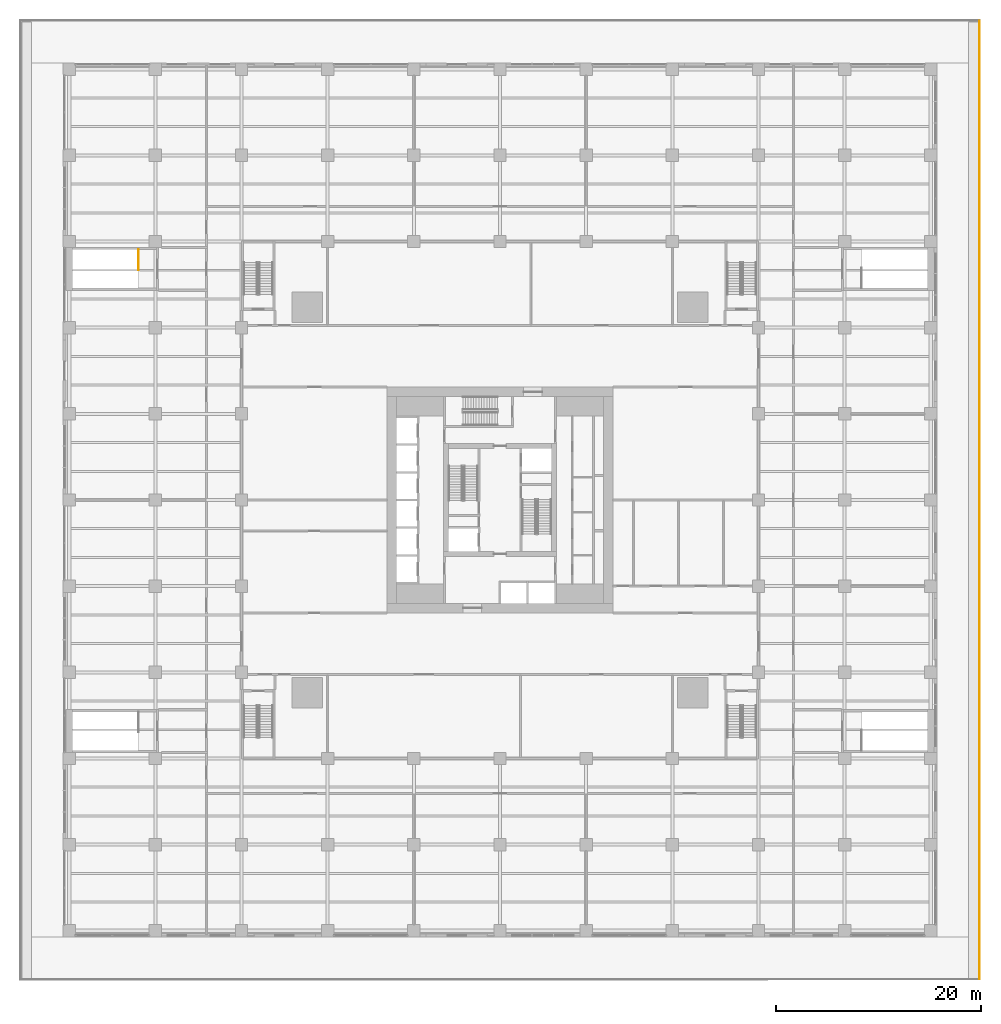
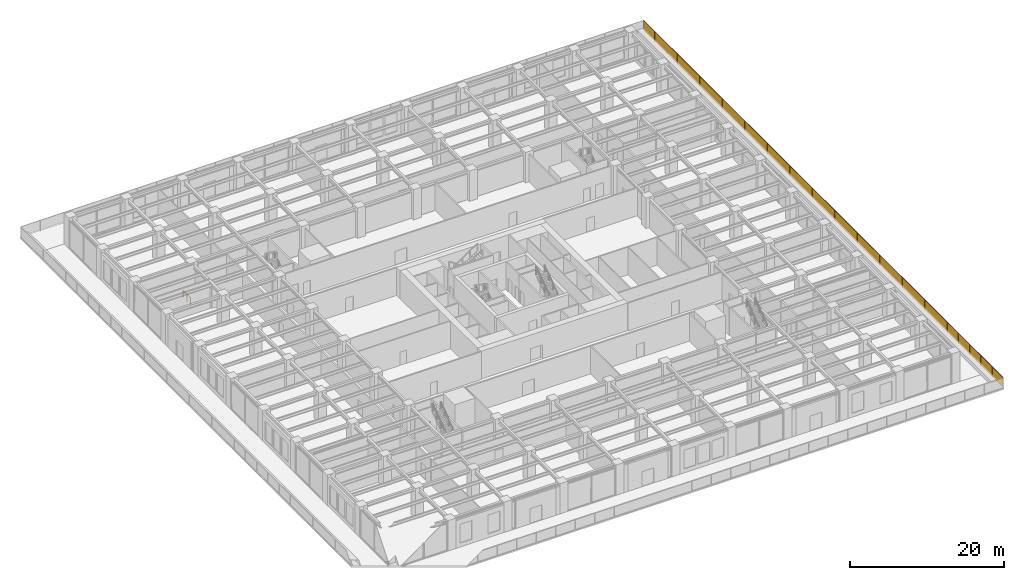
# One storey, part 50 of 53: 2 railings.
"""IFC4 building model written with IfcOpenShell, lengths in metres."""

from ifc_helpers import new_model, si_unit, direction, frame, origin, origin_2d, place, context, subcontext, project, spatial, rectangle, extrude, material, type_object, element, save


model = new_model("IFC4")

# Units and contexts
model_context = context("Model", 3, precision=1e-05, world=origin(), true_north=direction((0.0, 1.0)))
body_context = subcontext(model_context, "Body", "Model", "MODEL_VIEW")
ifc_project = project(units=[si_unit("LENGTHUNIT", "METRE"), si_unit("AREAUNIT", "SQUARE_METRE"), si_unit("VOLUMEUNIT", "CUBIC_METRE"), si_unit("PLANEANGLEUNIT", "RADIAN"), si_unit("MASSUNIT", "GRAM", prefix="KILO")], contexts=[model_context])

# Site, building, storey
site_placement = place(None, origin())
site = spatial("IfcSite", under=ifc_project, at=site_placement, CompositionType="ELEMENT")
building_placement = place(site_placement, origin())
building = spatial("IfcBuilding", under=site, at=building_placement, Name="Khepri Terraces", CompositionType="ELEMENT")
storey_placement = place(building_placement, frame((0.0, 0.0, 7.199951171875)))
storey = spatial("IfcBuildingStorey", under=building, at=storey_placement, Name="L01", CompositionType="ELEMENT", Elevation=7.199951171875)

# Railings
ifc_material_1 = material(Name="Stainless steel grade 316", Category="steel")
railing_type_1 = type_object("IfcRailingType", Name="GRD-TERR-1700", PredefinedType="GUARDRAIL", material=ifc_material_1)
railing_1_placement = place(storey_placement, frame((46.75, 46.75, 0.0)))
element("IfcRailing", 1, at=railing_1_placement, inside=storey, type_object=railing_type_1, Name="Terrace guard L01", PredefinedType="GUARDRAIL", context=body_context, shape_type="SweptSolid", body=[
    extrude(rectangle(XDim=0.050048828125, YDim=0.06005859375, at=origin_2d()), frame((0.0, 0.0, 1.669921875), z_axis=(0.0, -1.0, 0.0), x_axis=(1.0, 0.0, 0.0)), (0.0, 0.0, 1.0), 93.5),
    extrude(rectangle(XDim=2.871826171875, YDim=0.011962890625, at=origin_2d()), frame((0.0, -1.4609375, 0.10009765625), z_axis=(0.0, 0.0, 1.0), x_axis=(0.0, -1.0, 0.0)), (0.0, 0.0, 1.0), 1.539794921875),
    extrude(rectangle(XDim=2.871826171875, YDim=0.011962890625, at=origin_2d()), frame((0.0, -4.3828125, 0.10009765625), z_axis=(0.0, 0.0, 1.0), x_axis=(0.0, -1.0, 0.0)), (0.0, 0.0, 1.0), 1.539794921875),
    extrude(rectangle(XDim=2.871826171875, YDim=0.011962890625, at=origin_2d()), frame((0.0, -7.3046875, 0.10009765625), z_axis=(0.0, 0.0, 1.0), x_axis=(0.0, -1.0, 0.0)), (0.0, 0.0, 1.0), 1.539794921875),
    extrude(rectangle(XDim=2.871826171875, YDim=0.011962890625, at=origin_2d()), frame((0.0, -10.2265625, 0.10009765625), z_axis=(0.0, 0.0, 1.0), x_axis=(0.0, -1.0, 0.0)), (0.0, 0.0, 1.0), 1.539794921875),
    extrude(rectangle(XDim=2.871826171875, YDim=0.011962890625, at=origin_2d()), frame((0.0, -13.1484375, 0.10009765625), z_axis=(0.0, 0.0, 1.0), x_axis=(0.0, -1.0, 0.0)), (0.0, 0.0, 1.0), 1.539794921875),
    extrude(rectangle(XDim=2.871826171875, YDim=0.011962890625, at=origin_2d()), frame((0.0, -16.0703125, 0.10009765625), z_axis=(0.0, 0.0, 1.0), x_axis=(0.0, -1.0, 0.0)), (0.0, 0.0, 1.0), 1.539794921875),
    extrude(rectangle(XDim=2.871826171875, YDim=0.011962890625, at=origin_2d()), frame((0.0, -18.9921875, 0.10009765625), z_axis=(0.0, 0.0, 1.0), x_axis=(0.0, -1.0, 0.0)), (0.0, 0.0, 1.0), 1.539794921875),
    extrude(rectangle(XDim=2.871826171875, YDim=0.011962890625, at=origin_2d()), frame((0.0, -21.9140625, 0.10009765625), z_axis=(0.0, 0.0, 1.0), x_axis=(0.0, -1.0, 0.0)), (0.0, 0.0, 1.0), 1.539794921875),
    extrude(rectangle(XDim=2.871826171875, YDim=0.011962890625, at=origin_2d()), frame((0.0, -24.8359375, 0.10009765625), z_axis=(0.0, 0.0, 1.0), x_axis=(0.0, -1.0, 0.0)), (0.0, 0.0, 1.0), 1.539794921875),
    extrude(rectangle(XDim=2.871826171875, YDim=0.011962890625, at=origin_2d()), frame((0.0, -27.7578125, 0.10009765625), z_axis=(0.0, 0.0, 1.0), x_axis=(0.0, -1.0, 0.0)), (0.0, 0.0, 1.0), 1.539794921875),
    extrude(rectangle(XDim=2.871826171875, YDim=0.011962890625, at=origin_2d()), frame((0.0, -30.6796875, 0.10009765625), z_axis=(0.0, 0.0, 1.0), x_axis=(0.0, -1.0, 0.0)), (0.0, 0.0, 1.0), 1.539794921875),
    extrude(rectangle(XDim=2.871826171875, YDim=0.011962890625, at=origin_2d()), frame((0.0, -33.6015625, 0.10009765625), z_axis=(0.0, 0.0, 1.0), x_axis=(0.0, -1.0, 0.0)), (0.0, 0.0, 1.0), 1.539794921875),
    extrude(rectangle(XDim=2.871826171875, YDim=0.011962890625, at=origin_2d()), frame((0.0, -36.5234375, 0.10009765625), z_axis=(0.0, 0.0, 1.0), x_axis=(0.0, -1.0, 0.0)), (0.0, 0.0, 1.0), 1.539794921875),
    extrude(rectangle(XDim=2.871826171875, YDim=0.011962890625, at=origin_2d()), frame((0.0, -39.4453125, 0.10009765625), z_axis=(0.0, 0.0, 1.0), x_axis=(0.0, -1.0, 0.0)), (0.0, 0.0, 1.0), 1.539794921875),
    extrude(rectangle(XDim=2.871826171875, YDim=0.011962890625, at=origin_2d()), frame((0.0, -42.3671875, 0.10009765625), z_axis=(0.0, 0.0, 1.0), x_axis=(0.0, -1.0, 0.0)), (0.0, 0.0, 1.0), 1.539794921875),
    extrude(rectangle(XDim=2.871826171875, YDim=0.011962890625, at=origin_2d()), frame((0.0, -45.2890625, 0.10009765625), z_axis=(0.0, 0.0, 1.0), x_axis=(0.0, -1.0, 0.0)), (0.0, 0.0, 1.0), 1.539794921875),
    extrude(rectangle(XDim=2.871826171875, YDim=0.011962890625, at=origin_2d()), frame((0.0, -48.2109375, 0.10009765625), z_axis=(0.0, 0.0, 1.0), x_axis=(0.0, -1.0, 0.0)), (0.0, 0.0, 1.0), 1.539794921875),
    extrude(rectangle(XDim=2.871826171875, YDim=0.011962890625, at=origin_2d()), frame((0.0, -51.1328125, 0.10009765625), z_axis=(0.0, 0.0, 1.0), x_axis=(0.0, -1.0, 0.0)), (0.0, 0.0, 1.0), 1.539794921875),
    extrude(rectangle(XDim=2.871826171875, YDim=0.011962890625, at=origin_2d()), frame((0.0, -54.0546875, 0.10009765625), z_axis=(0.0, 0.0, 1.0), x_axis=(0.0, -1.0, 0.0)), (0.0, 0.0, 1.0), 1.539794921875),
    extrude(rectangle(XDim=2.871826171875, YDim=0.011962890625, at=origin_2d()), frame((0.0, -56.9765625, 0.10009765625), z_axis=(0.0, 0.0, 1.0), x_axis=(0.0, -1.0, 0.0)), (0.0, 0.0, 1.0), 1.539794921875),
    extrude(rectangle(XDim=2.871826171875, YDim=0.011962890625, at=origin_2d()), frame((0.0, -59.8984375, 0.10009765625), z_axis=(0.0, 0.0, 1.0), x_axis=(0.0, -1.0, 0.0)), (0.0, 0.0, 1.0), 1.539794921875),
    extrude(rectangle(XDim=2.871826171875, YDim=0.011962890625, at=origin_2d()), frame((0.0, -62.8203125, 0.10009765625), z_axis=(0.0, 0.0, 1.0), x_axis=(0.0, -1.0, 0.0)), (0.0, 0.0, 1.0), 1.539794921875),
    extrude(rectangle(XDim=2.871826171875, YDim=0.011962890625, at=origin_2d()), frame((0.0, -65.7421875, 0.10009765625), z_axis=(0.0, 0.0, 1.0), x_axis=(0.0, -1.0, 0.0)), (0.0, 0.0, 1.0), 1.539794921875),
    extrude(rectangle(XDim=2.871826171875, YDim=0.011962890625, at=origin_2d()), frame((0.0, -68.6640625, 0.10009765625), z_axis=(0.0, 0.0, 1.0), x_axis=(0.0, -1.0, 0.0)), (0.0, 0.0, 1.0), 1.539794921875),
    extrude(rectangle(XDim=2.871826171875, YDim=0.011962890625, at=origin_2d()), frame((0.0, -71.5859375, 0.10009765625), z_axis=(0.0, 0.0, 1.0), x_axis=(0.0, -1.0, 0.0)), (0.0, 0.0, 1.0), 1.539794921875),
    extrude(rectangle(XDim=2.871826171875, YDim=0.011962890625, at=origin_2d()), frame((0.0, -74.5078125, 0.10009765625), z_axis=(0.0, 0.0, 1.0), x_axis=(0.0, -1.0, 0.0)), (0.0, 0.0, 1.0), 1.539794921875),
    extrude(rectangle(XDim=2.871826171875, YDim=0.011962890625, at=origin_2d()), frame((0.0, -77.4296875, 0.10009765625), z_axis=(0.0, 0.0, 1.0), x_axis=(0.0, -1.0, 0.0)), (0.0, 0.0, 1.0), 1.539794921875),
    extrude(rectangle(XDim=2.871826171875, YDim=0.011962890625, at=origin_2d()), frame((0.0, -80.3515625, 0.10009765625), z_axis=(0.0, 0.0, 1.0), x_axis=(0.0, -1.0, 0.0)), (0.0, 0.0, 1.0), 1.539794921875),
    extrude(rectangle(XDim=2.871826171875, YDim=0.011962890625, at=origin_2d()), frame((0.0, -83.2734375, 0.10009765625), z_axis=(0.0, 0.0, 1.0), x_axis=(0.0, -1.0, 0.0)), (0.0, 0.0, 1.0), 1.539794921875),
    extrude(rectangle(XDim=2.871826171875, YDim=0.011962890625, at=origin_2d()), frame((0.0, -86.1953125, 0.10009765625), z_axis=(0.0, 0.0, 1.0), x_axis=(0.0, -1.0, 0.0)), (0.0, 0.0, 1.0), 1.539794921875),
    extrude(rectangle(XDim=2.871826171875, YDim=0.011962890625, at=origin_2d()), frame((0.0, -89.1171875, 0.10009765625), z_axis=(0.0, 0.0, 1.0), x_axis=(0.0, -1.0, 0.0)), (0.0, 0.0, 1.0), 1.539794921875),
    extrude(rectangle(XDim=2.871826171875, YDim=0.011962890625, at=origin_2d()), frame((0.0, -92.0390625, 0.10009765625), z_axis=(0.0, 0.0, 1.0), x_axis=(0.0, -1.0, 0.0)), (0.0, 0.0, 1.0), 1.539794921875),
    extrude(rectangle(XDim=0.050048828125, YDim=0.050048828125, at=origin_2d()), frame((0.0, -2.921875, 0.0)), (0.0, 0.0, 1.0), 1.639892578125),
    extrude(rectangle(XDim=0.050048828125, YDim=0.050048828125, at=origin_2d()), frame((0.0, -5.84375, 0.0)), (0.0, 0.0, 1.0), 1.639892578125),
    extrude(rectangle(XDim=0.050048828125, YDim=0.050048828125, at=origin_2d()), frame((0.0, -8.765625, 0.0)), (0.0, 0.0, 1.0), 1.639892578125),
    extrude(rectangle(XDim=0.050048828125, YDim=0.050048828125, at=origin_2d()), frame((0.0, -11.6875, 0.0)), (0.0, 0.0, 1.0), 1.639892578125),
    extrude(rectangle(XDim=0.050048828125, YDim=0.050048828125, at=origin_2d()), frame((0.0, -14.609375, 0.0)), (0.0, 0.0, 1.0), 1.639892578125),
    extrude(rectangle(XDim=0.050048828125, YDim=0.050048828125, at=origin_2d()), frame((0.0, -17.53125, 0.0)), (0.0, 0.0, 1.0), 1.639892578125),
    extrude(rectangle(XDim=0.050048828125, YDim=0.050048828125, at=origin_2d()), frame((0.0, -20.453125, 0.0)), (0.0, 0.0, 1.0), 1.639892578125),
    extrude(rectangle(XDim=0.050048828125, YDim=0.050048828125, at=origin_2d()), frame((0.0, -23.375, 0.0)), (0.0, 0.0, 1.0), 1.639892578125),
    extrude(rectangle(XDim=0.050048828125, YDim=0.050048828125, at=origin_2d()), frame((0.0, -26.296875, 0.0)), (0.0, 0.0, 1.0), 1.639892578125),
    extrude(rectangle(XDim=0.050048828125, YDim=0.050048828125, at=origin_2d()), frame((0.0, -29.21875, 0.0)), (0.0, 0.0, 1.0), 1.639892578125),
    extrude(rectangle(XDim=0.050048828125, YDim=0.050048828125, at=origin_2d()), frame((0.0, -32.140625, 0.0)), (0.0, 0.0, 1.0), 1.639892578125),
    extrude(rectangle(XDim=0.050048828125, YDim=0.050048828125, at=origin_2d()), frame((0.0, -35.0625, 0.0)), (0.0, 0.0, 1.0), 1.639892578125),
    extrude(rectangle(XDim=0.050048828125, YDim=0.050048828125, at=origin_2d()), frame((0.0, -37.984375, 0.0)), (0.0, 0.0, 1.0), 1.639892578125),
    extrude(rectangle(XDim=0.050048828125, YDim=0.050048828125, at=origin_2d()), frame((0.0, -40.90625, 0.0)), (0.0, 0.0, 1.0), 1.639892578125),
    extrude(rectangle(XDim=0.050048828125, YDim=0.050048828125, at=origin_2d()), frame((0.0, -43.828125, 0.0)), (0.0, 0.0, 1.0), 1.639892578125),
    extrude(rectangle(XDim=0.050048828125, YDim=0.050048828125, at=origin_2d()), frame((0.0, -46.75, 0.0)), (0.0, 0.0, 1.0), 1.639892578125),
    extrude(rectangle(XDim=0.050048828125, YDim=0.050048828125, at=origin_2d()), frame((0.0, -49.671875, 0.0)), (0.0, 0.0, 1.0), 1.639892578125),
    extrude(rectangle(XDim=0.050048828125, YDim=0.050048828125, at=origin_2d()), frame((0.0, -52.59375, 0.0)), (0.0, 0.0, 1.0), 1.639892578125),
    extrude(rectangle(XDim=0.050048828125, YDim=0.050048828125, at=origin_2d()), frame((0.0, -55.515625, 0.0)), (0.0, 0.0, 1.0), 1.639892578125),
    extrude(rectangle(XDim=0.050048828125, YDim=0.050048828125, at=origin_2d()), frame((0.0, -58.4375, 0.0)), (0.0, 0.0, 1.0), 1.639892578125),
    extrude(rectangle(XDim=0.050048828125, YDim=0.050048828125, at=origin_2d()), frame((0.0, -61.359375, 0.0)), (0.0, 0.0, 1.0), 1.639892578125),
    extrude(rectangle(XDim=0.050048828125, YDim=0.050048828125, at=origin_2d()), frame((0.0, -64.28125, 0.0)), (0.0, 0.0, 1.0), 1.639892578125),
    extrude(rectangle(XDim=0.050048828125, YDim=0.050048828125, at=origin_2d()), frame((0.0, -67.203125, 0.0)), (0.0, 0.0, 1.0), 1.639892578125),
    extrude(rectangle(XDim=0.050048828125, YDim=0.050048828125, at=origin_2d()), frame((0.0, -70.125, 0.0)), (0.0, 0.0, 1.0), 1.639892578125),
    extrude(rectangle(XDim=0.050048828125, YDim=0.050048828125, at=origin_2d()), frame((0.0, -73.046875, 0.0)), (0.0, 0.0, 1.0), 1.639892578125),
    extrude(rectangle(XDim=0.050048828125, YDim=0.050048828125, at=origin_2d()), frame((0.0, -75.96875, 0.0)), (0.0, 0.0, 1.0), 1.639892578125),
    extrude(rectangle(XDim=0.050048828125, YDim=0.050048828125, at=origin_2d()), frame((0.0, -78.890625, 0.0)), (0.0, 0.0, 1.0), 1.639892578125),
    extrude(rectangle(XDim=0.050048828125, YDim=0.050048828125, at=origin_2d()), frame((0.0, -81.8125, 0.0)), (0.0, 0.0, 1.0), 1.639892578125),
    extrude(rectangle(XDim=0.050048828125, YDim=0.050048828125, at=origin_2d()), frame((0.0, -84.734375, 0.0)), (0.0, 0.0, 1.0), 1.639892578125),
    extrude(rectangle(XDim=0.050048828125, YDim=0.050048828125, at=origin_2d()), frame((0.0, -87.65625, 0.0)), (0.0, 0.0, 1.0), 1.639892578125),
    extrude(rectangle(XDim=0.050048828125, YDim=0.050048828125, at=origin_2d()), frame((0.0, -90.578125, 0.0)), (0.0, 0.0, 1.0), 1.639892578125),
    extrude(rectangle(XDim=0.050048828125, YDim=0.050048828125, at=origin_2d()), frame((0.0, -93.5, 0.0)), (0.0, 0.0, 1.0), 1.639892578125),
])
ifc_material_2 = material(Name="Stainless steel 316", Category="steel")
railing_type_2 = type_object("IfcRailingType", Name="RL-POD-GUARD", PredefinedType="GUARDRAIL", material=ifc_material_2)
railing_2_placement = place(storey_placement, frame((-35.25, 24.39990234375, 0.0)))
element("IfcRailing", 2, at=railing_2_placement, inside=storey, type_object=railing_type_2, Name="L01 PS-5 top well guard 1", PredefinedType="GUARDRAIL", context=body_context, shape_type="SweptSolid", body=[
    extrude(rectangle(XDim=0.050048828125, YDim=0.06005859375, at=origin_2d()), frame((0.0, 0.0, 1.070068359375), z_axis=(0.0, -1.0, 0.0), x_axis=(1.0, 0.0, 0.0)), (0.0, 0.0, 1.0), 1.949951171875),
    extrude(rectangle(XDim=0.050048828125, YDim=0.050048828125, at=origin_2d()), origin(), (0.0, 0.0, 1.0), 1.0400390625),
    extrude(rectangle(XDim=0.050048828125, YDim=0.050048828125, at=origin_2d()), frame((0.0, -0.97509765625, 0.0)), (0.0, 0.0, 1.0), 1.0400390625),
    extrude(rectangle(XDim=0.050048828125, YDim=0.050048828125, at=origin_2d()), frame((0.0, -1.949951171875, 0.0)), (0.0, 0.0, 1.0), 1.0400390625),
])

save(model, "model.ifc")
